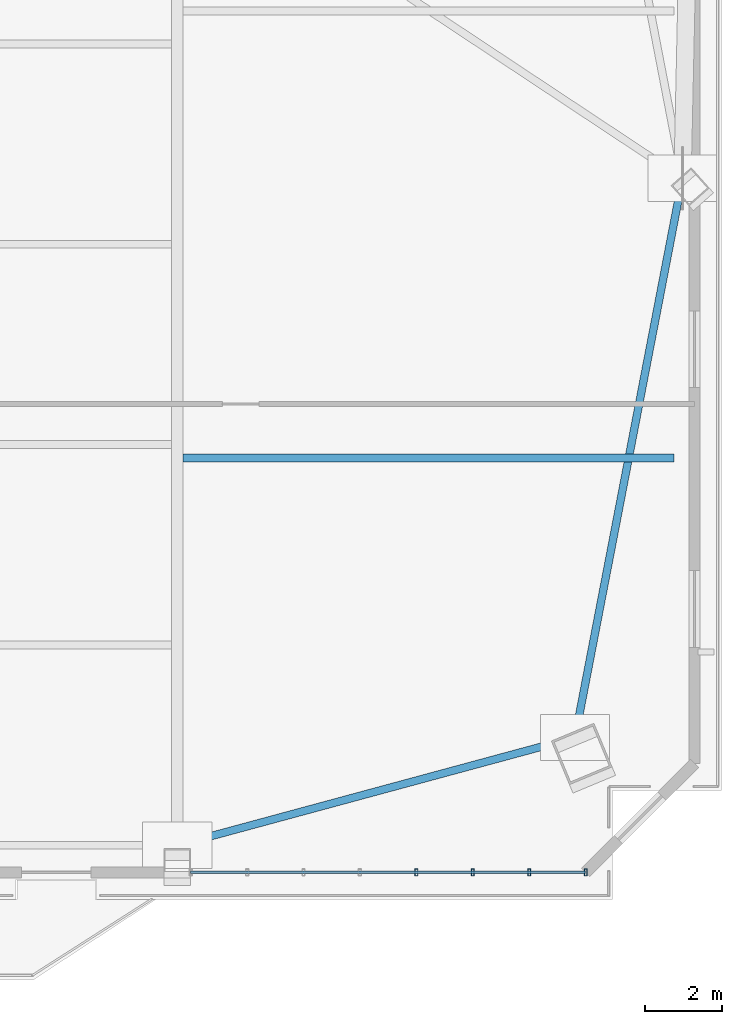
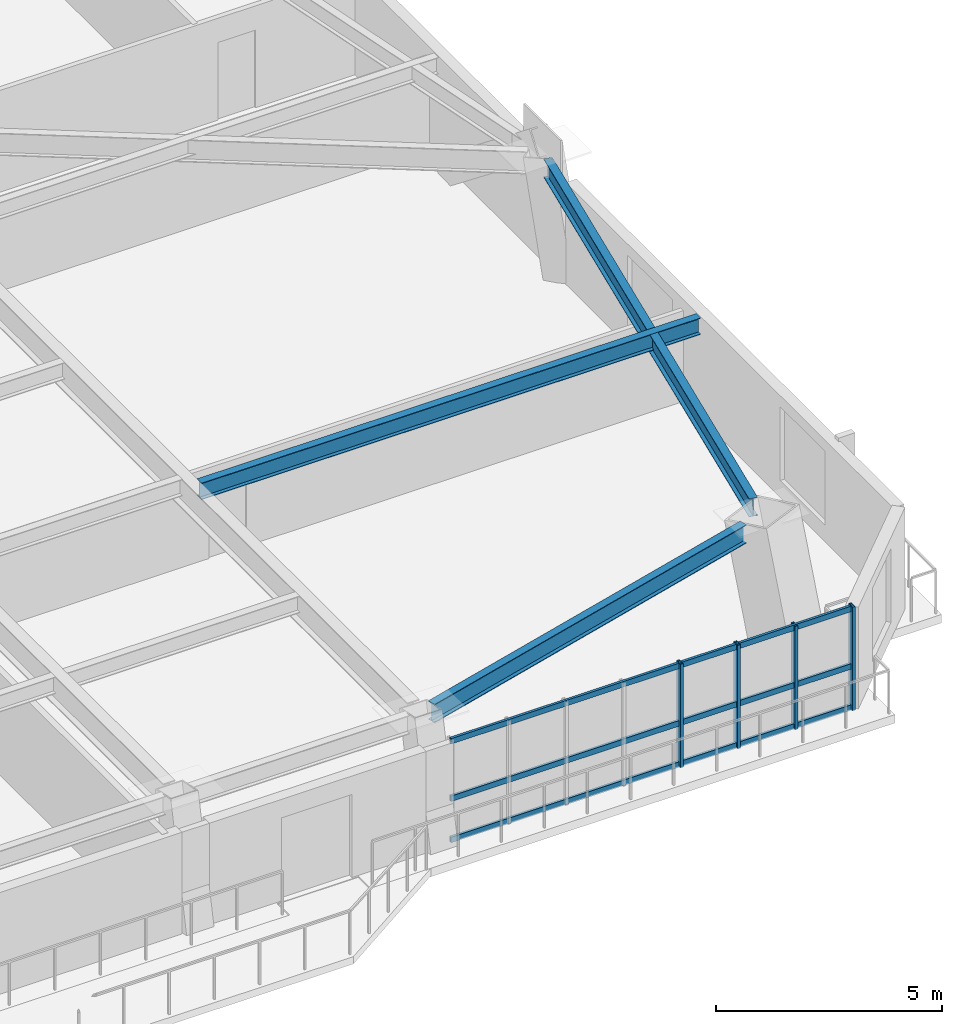
# One storey, part 5 of 16: 7 members, 3 beams, 1 element without a shape of its own.
"""IFC4 building model written with IfcOpenShell, lengths in metres."""

from ifc_helpers import new_model, si_unit, direction, frame, origin, origin_2d, place, context, subcontext, project, spatial, hollow_rectangle, i_section, extrude, source, transform, mapped, material, layer, layer_set, material_profile, profile_set, type_object, element, aggregate, save


model = new_model("IFC4")

# Units and contexts
model_context = context("Model", 3, precision=1e-05, world=origin(), true_north=direction((0.0, 1.0)))
body_context = subcontext(model_context, "Body", "Model", "MODEL_VIEW")
ifc_project = project(units=[si_unit("LENGTHUNIT", "METRE"), si_unit("AREAUNIT", "SQUARE_METRE"), si_unit("VOLUMEUNIT", "CUBIC_METRE"), si_unit("PLANEANGLEUNIT", "RADIAN"), si_unit("MASSUNIT", "GRAM", prefix="KILO")], contexts=[model_context])

# Site, building, storey
site_placement = place(None, origin())
site = spatial("IfcSite", under=ifc_project, at=site_placement, CompositionType="ELEMENT")
building_placement = place(site_placement, origin())
building = spatial("IfcBuilding", under=site, at=building_placement, Name="Giltprow Tower", CompositionType="ELEMENT")
storey_placement = place(building_placement, frame((0.0, 0.0, 199.199951171875)))
storey = spatial("IfcBuildingStorey", under=building, at=storey_placement, Name="L50", CompositionType="ELEMENT", Elevation=199.199951171875)

# Beams
ifc_material_1 = material(Name="Structural steel Q355B", Category="steel")
ifc_material_profile_1 = material_profile(ifc_material_1, i_section(OverallWidth=0.199951171875, OverallDepth=0.5, WebThickness=0.010009765625, FlangeThickness=0.01611328125, at=origin_2d()), Name="HN 500x200x10x16")
ifc_profile_set_1 = profile_set([ifc_material_profile_1], Name="Structural steel Q355B")
beam_type_1 = type_object("IfcBeamType", Name="BM-SPAN-HN500", PredefinedType="SPANDREL", material=ifc_profile_set_1)
shared_shape_1 = source(origin(), body_context, "Body", "SweptSolid", [
    extrude(i_section(OverallWidth=0.199951171875, OverallDepth=0.5, WebThickness=0.010009765625, FlangeThickness=0.01611328125, at=origin_2d()), origin(), (0.0, 0.0, 1.0), 9.80029296875),
])
beam_1_placement = place(storey_placement, frame((50.873046875, 11.472900390625, 3.02001953125), z_axis=(0.965278211151, 0.261223994068, 0.0), x_axis=(-0.261223994068, 0.965278211151, 0.0)))
element("IfcBeam", 1, at=beam_1_placement, inside=storey, type_object=beam_type_1, Name="L50 Perimeter Spandrel Beam S4-MC_SE", PredefinedType="SPANDREL", context=body_context, shape_type="MappedRepresentation", body=[
    mapped(shared_shape_1, transform((0.0, 0.0, 0.0), x_axis=(1.0, 0.0, 0.0), y_axis=(0.0, 1.0, 0.0), z_axis=(0.0, 0.0, 1.0), scale=1.0)),
])
shared_shape_2 = source(origin(), body_context, "Body", "SweptSolid", [
    extrude(i_section(OverallWidth=0.199951171875, OverallDepth=0.5, WebThickness=0.010009765625, FlangeThickness=0.01611328125, at=origin_2d()), origin(), (0.0, 0.0, 1.0), 13.904541015625),
])
beam_2_placement = place(storey_placement, frame((61.008056640625, 14.760009765625, 3.02001953125), z_axis=(0.18892879803, 0.981990788793, 0.0), x_axis=(-0.981990788793, 0.18892879803, 0.0)))
element("IfcBeam", 2, at=beam_2_placement, inside=storey, type_object=beam_type_1, Name="L50 Perimeter Spandrel Beam MC_SE-E_MID", PredefinedType="SPANDREL", context=body_context, shape_type="MappedRepresentation", body=[
    mapped(shared_shape_2, transform((0.0, 0.0, 0.0), x_axis=(1.0, 0.0, 0.0), y_axis=(0.0, 1.0, 0.0), z_axis=(0.0, 0.0, 1.0), scale=1.0)),
])
ifc_material_profile_2 = material_profile(ifc_material_1, i_section(OverallWidth=0.199951171875, OverallDepth=0.449951171875, WebThickness=0.009033203125, FlangeThickness=0.013916015625, at=origin_2d()), Name="HN 450x200x9x14")
ifc_profile_set_2 = profile_set([ifc_material_profile_2], Name="Structural steel Q355B")
beam_type_2 = type_object("IfcBeamType", Name="BM-JOIST-HN450", PredefinedType="JOIST", material=ifc_profile_set_2)
shared_shape_3 = source(origin(), body_context, "Body", "SweptSolid", [
    extrude(i_section(OverallWidth=0.199951171875, OverallDepth=0.449951171875, WebThickness=0.009033203125, FlangeThickness=0.013916015625, at=origin_2d()), origin(), (0.0, 0.0, 1.0), 12.782958984375),
])
beam_3_placement = place(storey_placement, frame((50.695068359375, 21.465087890625, 3.045166015625), z_axis=(1.0, 0.0, 0.0), x_axis=(0.0, 1.0, 0.0)))
element("IfcBeam", 3, at=beam_3_placement, inside=storey, type_object=beam_type_2, Name="L50 East Wing Floor Joist 1", PredefinedType="JOIST", context=body_context, shape_type="MappedRepresentation", body=[
    mapped(shared_shape_3, transform((0.0, 0.0, 0.0), x_axis=(1.0, 0.0, 0.0), y_axis=(0.0, 1.0, 0.0), z_axis=(0.0, 0.0, 1.0), scale=1.0)),
])

# Curtain wall, members
ifc_material_2 = material(Name="Anodized bronze", Category="metal")
ifc_layer = layer(ifc_material_2, 0.179931640625, Name="Anodized bronze")
ifc_layer_set = layer_set([ifc_layer], Name="Anodized bronze")
curtain_wall_type = type_object("IfcCurtainWallType", Name="CW-HTL-BRONZE", PredefinedType="NOTDEFINED", material=ifc_layer_set)
curtain_wall_placement = place(storey_placement, origin())
curtain_wall = element("IfcCurtainWall", 4, at=curtain_wall_placement, inside=storey, type_object=curtain_wall_type, Name="L50 South Recessed Curtain Wall 6", PredefinedType="NOTDEFINED")
ifc_material_profile_3 = material_profile(ifc_material_2, hollow_rectangle(XDim=0.074951171875, YDim=0.179931640625, WallThickness=0.008056640625, at=origin_2d()), Name="RHS 180x75x8")
ifc_profile_set_3 = profile_set([ifc_material_profile_3], Name="Anodized bronze")
member_type_1 = type_object("IfcMemberType", Name="CW-MULLION-180x75", PredefinedType="MULLION", material=ifc_profile_set_3)
shared_shape_4 = source(origin(), body_context, "Body", "SweptSolid", [
    extrude(hollow_rectangle(XDim=0.074951171875, YDim=0.179931640625, WallThickness=0.008056640625, at=origin_2d()), origin(), (0.0, 0.0, 1.0), 2.80517578125),
])
member_1_placement = place(storey_placement, frame((56.77294921875, 10.679931640625, -0.02001953125), z_axis=(0.0, 0.0, 1.0), x_axis=(1.0, 0.0, 0.0)))
member_1 = element("IfcMember", 5, at=member_1_placement, type_object=member_type_1, Name="L50 South Recessed Curtain Wall 6 Mullion 5", PredefinedType="MULLION", context=body_context, shape_type="MappedRepresentation", body=[
    mapped(shared_shape_4, transform((0.0, 0.0, 0.0), x_axis=(1.0, 0.0, 0.0), y_axis=(0.0, 1.0, 0.0), z_axis=(0.0, 0.0, 1.0), scale=1.0)),
])
member_2_placement = place(storey_placement, frame((58.240966796875, 10.679931640625, -0.02001953125), z_axis=(0.0, 0.0, 1.0), x_axis=(1.0, 0.0, 0.0)))
member_2 = element("IfcMember", 6, at=member_2_placement, type_object=member_type_1, Name="L50 South Recessed Curtain Wall 6 Mullion 6", PredefinedType="MULLION", context=body_context, shape_type="MappedRepresentation", body=[
    mapped(shared_shape_4, transform((0.0, 0.0, 0.0), x_axis=(1.0, 0.0, 0.0), y_axis=(0.0, 1.0, 0.0), z_axis=(0.0, 0.0, 1.0), scale=1.0)),
])
member_3_placement = place(storey_placement, frame((59.708984375, 10.679931640625, -0.02001953125), z_axis=(0.0, 0.0, 1.0), x_axis=(1.0, 0.0, 0.0)))
member_3 = element("IfcMember", 7, at=member_3_placement, type_object=member_type_1, Name="L50 South Recessed Curtain Wall 6 Mullion 7", PredefinedType="MULLION", context=body_context, shape_type="MappedRepresentation", body=[
    mapped(shared_shape_4, transform((0.0, 0.0, 0.0), x_axis=(1.0, 0.0, 0.0), y_axis=(0.0, 1.0, 0.0), z_axis=(0.0, 0.0, 1.0), scale=1.0)),
])
member_4_placement = place(storey_placement, frame((61.177001953125, 10.679931640625, -0.02001953125), z_axis=(0.0, 0.0, 1.0), x_axis=(1.0, 0.0, 0.0)))
member_4 = element("IfcMember", 8, at=member_4_placement, type_object=member_type_1, Name="L50 South Recessed Curtain Wall 6 Mullion 8", PredefinedType="MULLION", context=body_context, shape_type="MappedRepresentation", body=[
    mapped(shared_shape_4, transform((0.0, 0.0, 0.0), x_axis=(1.0, 0.0, 0.0), y_axis=(0.0, 1.0, 0.0), z_axis=(0.0, 0.0, 1.0), scale=1.0)),
])
ifc_material_profile_4 = material_profile(ifc_material_2, hollow_rectangle(XDim=0.06494140625, YDim=0.14990234375, WallThickness=0.006103515625, at=origin_2d()), Name="RHS 150x65x6")
ifc_profile_set_4 = profile_set([ifc_material_profile_4], Name="Anodized bronze")
member_type_2 = type_object("IfcMemberType", Name="CW-TRANSOM-150x65", PredefinedType="USERDEFINED", material=ifc_profile_set_4)
shared_shape_5 = source(origin(), body_context, "Body", "SweptSolid", [
    extrude(hollow_rectangle(XDim=0.06494140625, YDim=0.14990234375, WallThickness=0.006103515625, at=origin_2d()), origin(), (0.0, 0.0, 1.0), 10.277099609375),
])
member_5_placement = place(storey_placement, frame((50.89990234375, 10.679931640625, 0.0400390625), z_axis=(1.0, 0.0, 0.0), x_axis=(0.0, 1.0, 0.0)))
member_5 = element("IfcMember", 9, at=member_5_placement, type_object=member_type_2, Name="L50 South Recessed Curtain Wall 6 Transom 1", ObjectType="TRANSOM", PredefinedType="USERDEFINED", context=body_context, shape_type="MappedRepresentation", body=[
    mapped(shared_shape_5, transform((0.0, 0.0, 0.0), x_axis=(1.0, 0.0, 0.0), y_axis=(0.0, 1.0, 0.0), z_axis=(0.0, 0.0, 1.0), scale=1.0)),
])
member_6_placement = place(storey_placement, frame((50.89990234375, 10.679931640625, 1.155029296875), z_axis=(1.0, 0.0, 0.0), x_axis=(0.0, 1.0, 0.0)))
member_6 = element("IfcMember", 10, at=member_6_placement, type_object=member_type_2, Name="L50 South Recessed Curtain Wall 6 Transom 2", ObjectType="TRANSOM", PredefinedType="USERDEFINED", context=body_context, shape_type="MappedRepresentation", body=[
    mapped(shared_shape_5, transform((0.0, 0.0, 0.0), x_axis=(1.0, 0.0, 0.0), y_axis=(0.0, 1.0, 0.0), z_axis=(0.0, 0.0, 1.0), scale=1.0)),
])
member_7_placement = place(storey_placement, frame((50.89990234375, 10.679931640625, 2.7099609375), z_axis=(1.0, 0.0, 0.0), x_axis=(0.0, 1.0, 0.0)))
member_7 = element("IfcMember", 11, at=member_7_placement, type_object=member_type_2, Name="L50 South Recessed Curtain Wall 6 Transom 3", ObjectType="TRANSOM", PredefinedType="USERDEFINED", context=body_context, shape_type="MappedRepresentation", body=[
    mapped(shared_shape_5, transform((0.0, 0.0, 0.0), x_axis=(1.0, 0.0, 0.0), y_axis=(0.0, 1.0, 0.0), z_axis=(0.0, 0.0, 1.0), scale=1.0)),
])
aggregate(curtain_wall, [member_1, member_2, member_3, member_4, member_5, member_6, member_7])

save(model, "model.ifc")
